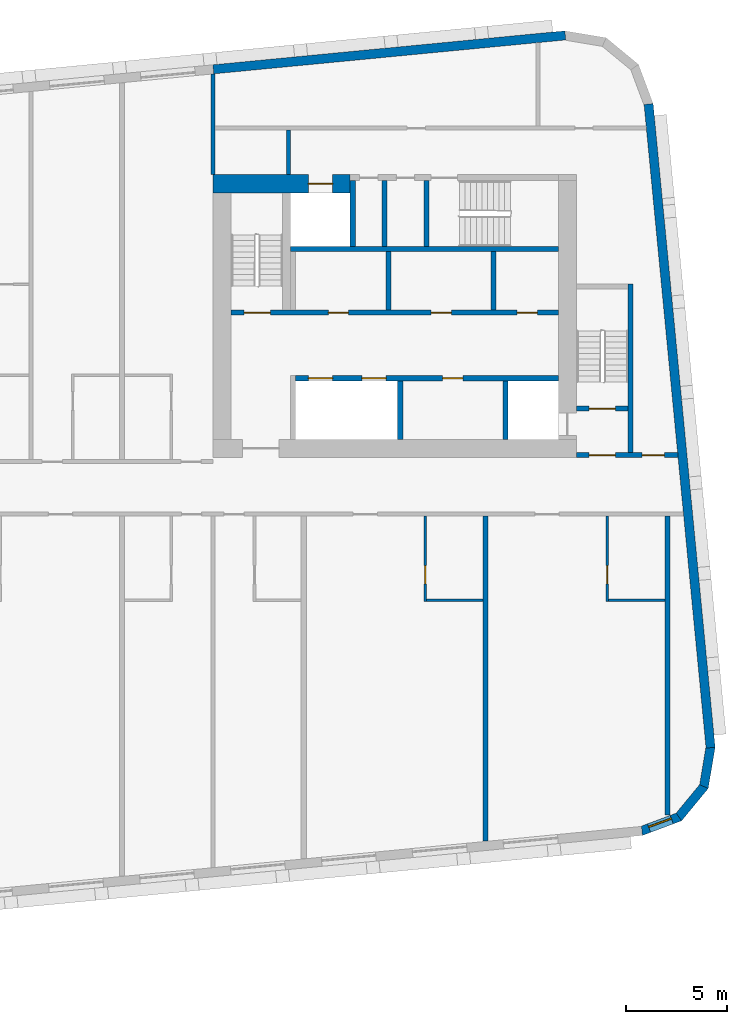
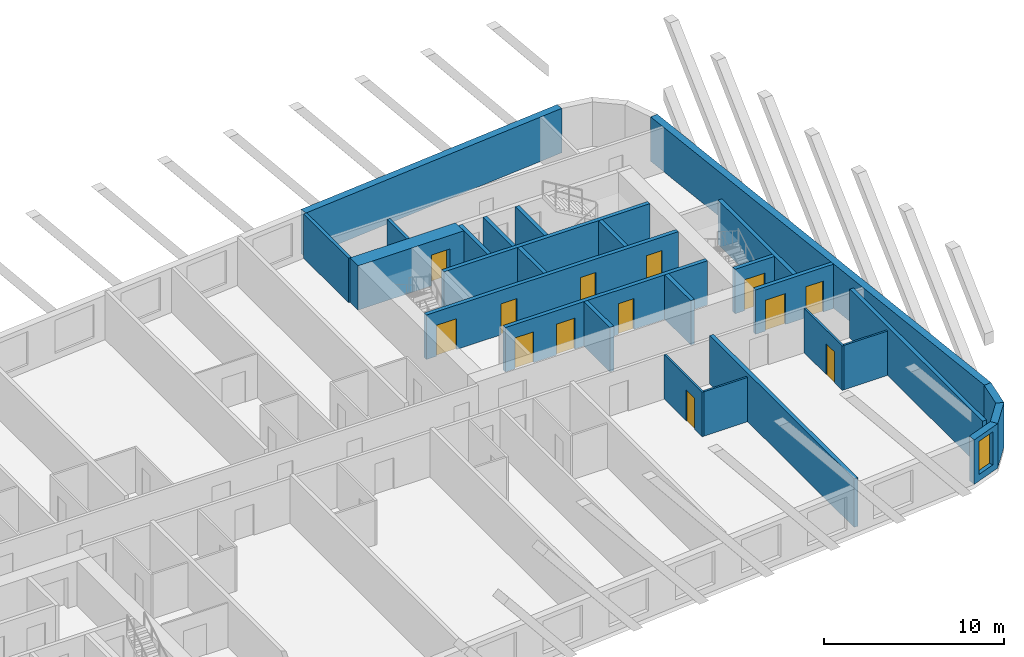
# One storey, part 6 of 12: 27 walls, 13 doors, 1 window, 14 openings.
"""IFC4 building model written with IfcOpenShell, lengths in metres."""

from ifc_helpers import new_model, si_unit, direction, frame, frame_2d, origin, place, context, subcontext, project, spatial, polyline, rectangle, outline, extrude, material, layer, layer_set, type_object, element, fill, save


model = new_model("IFC4")

# Units and contexts
model_context = context("Model", 3, precision=1e-05, world=origin(), true_north=direction((0.0, 1.0)))
body_context = subcontext(model_context, "Body", "Model", "MODEL_VIEW")
ifc_project = project(units=[si_unit("LENGTHUNIT", "METRE"), si_unit("AREAUNIT", "SQUARE_METRE"), si_unit("VOLUMEUNIT", "CUBIC_METRE"), si_unit("PLANEANGLEUNIT", "RADIAN"), si_unit("MASSUNIT", "GRAM", prefix="KILO")], contexts=[model_context])

# Site, building, storey
site_placement = place(None, origin())
site = spatial("IfcSite", under=ifc_project, at=site_placement, CompositionType="ELEMENT")
building_placement = place(site_placement, origin())
building = spatial("IfcBuilding", under=site, at=building_placement, Name="Kajstack Hotel Tower", CompositionType="ELEMENT")
storey_placement = place(building_placement, frame((0.0, 0.0, 288.300048828125)))
storey = spatial("IfcBuildingStorey", under=building, at=storey_placement, Name="L72", CompositionType="ELEMENT", Elevation=288.300048828125)

# Wall, opening, door
ifc_material_1 = material(Name="Concrete C60/75", Category="concrete")
ifc_layer_1 = layer(ifc_material_1, 0.89990234375)
ifc_layer_set_1 = layer_set([ifc_layer_1], Name="Core wall 900")
wall_type_1 = type_object("IfcWallType", Name="Core wall 900", PredefinedType="SHEAR", material=ifc_layer_set_1)
wall_1_placement = place(storey_placement, frame((13.5, 15.050048828125, 0.0), z_axis=(0.0, 0.0, 1.0), x_axis=(1.0, 0.0, 0.0)))
wall_1 = element("IfcWall", 1, at=wall_1_placement, inside=storey, type_object=wall_type_1, Name="Core wall E RS", PredefinedType="SHEAR", context=body_context, shape_type="SweptSolid", body=[
    extrude(rectangle(XDim=6.800048828125, YDim=0.89990234375, at=frame_2d((3.39990234375, 0.0))), origin(), (0.0, 0.0, 1.0), 3.02001953125),
])
opening_1_placement = place(wall_1_placement, frame((4.72509765625, 0.0, 0.0)))
opening_1 = element("IfcOpeningElement", 2, at=opening_1_placement, cuts=wall_1, Name="Opening LD-SV2", PredefinedType="OPENING", context=body_context, shape_type="SweptSolid", body=[
    extrude(rectangle(XDim=1.199951171875, YDim=2.10009765625, at=frame_2d((0.60009765625, 1.050048828125))), frame((0.0, 0.4599609375, 0.0), z_axis=(0.0, -1.0, 0.0), x_axis=(1.0, 0.0, 0.0)), (0.0, 0.0, 1.0), 0.919921875),
])
ifc_material_2 = material(Name="Stainless steel", Category="steel")
door_type_1 = type_object("IfcDoorType", Name="Lift landing door 1200", OperationType="SLIDING_TO_LEFT", PredefinedType="DOOR", material=ifc_material_2)
door_1_placement = place(opening_1_placement, origin())
door_1 = element("IfcDoor", 3, at=door_1_placement, inside=storey, type_object=door_type_1, Name="Landing door SV2", OperationType="SLIDING_TO_LEFT", OverallHeight=2.10009765625, OverallWidth=1.199951171875, PredefinedType="DOOR", context=body_context, shape_type="SweptSolid", body=[
    extrude(rectangle(XDim=1.199951171875, YDim=2.10009765625, at=frame_2d((0.60009765625, 1.050048828125))), frame((0.0, 0.02490234375, 0.0), z_axis=(0.0, -1.0, 0.0), x_axis=(1.0, 0.0, 0.0)), (0.0, 0.0, 1.0), 0.050048828125),
])
fill(opening_1, door_1)

# Walls
ifc_material_3 = material(Name="Twin-frame gypsum board on steel studs, mineral wool", Category="steel")
ifc_layer_2 = layer(ifc_material_3, 0.199951171875)
ifc_layer_set_2 = layer_set([ifc_layer_2], Name="Demising wall 200")
wall_type_2 = type_object("IfcWallType", Name="Demising wall 200", PredefinedType="PARTITIONING", material=ifc_layer_set_2)
wall_2_placement = place(storey_placement, frame((13.5, 15.5, 0.0), z_axis=(0.0, 0.0, 1.0), x_axis=(0.0, 1.0, 0.0)))
element("IfcWall", 4, at=wall_2_placement, inside=storey, type_object=wall_type_2, Name="G-wall-L72-001", PredefinedType="PARTITIONING", context=body_context, shape_type="SweptSolid", body=[
    extrude(rectangle(XDim=4.985107421875, YDim=0.199951171875, at=frame_2d((2.49267578125, 0.0))), origin(), (0.0, 0.0, 1.0), 3.02001953125),
])
ifc_material_4 = material(Name="Concrete C40/50", Category="concrete")
ifc_layer_3 = layer(ifc_material_4, 0.449951171875)
ifc_layer_set_3 = layer_set([ifc_layer_3], Name="EW-CORE")
wall_type_3 = type_object("IfcWallType", Name="EW-CORE", PredefinedType="SOLIDWALL", material=ifc_layer_set_3)
wall_3_placement = place(storey_placement, frame((30.94580078125, 22.390625, 0.0), z_axis=(0.0, 0.0, 1.0), x_axis=(-0.995396397117, -0.095843688398, 0.0)))
element("IfcWall", 5, at=wall_3_placement, inside=storey, type_object=wall_type_3, Name="E-wall-L72-12-00", PredefinedType="SOLIDWALL", context=body_context, shape_type="SweptSolid", body=[
    extrude(rectangle(XDim=17.5048828125, YDim=0.449951171875, at=frame_2d((8.75244140625, 0.0))), origin(), (0.0, 0.0, 1.0), 3.02001953125),
])

# Wall, opening, window
ifc_material_5 = material(Name="Terracotta-faced brick masonry", Category="masonry")
ifc_layer_4 = layer(ifc_material_5, 0.449951171875)
ifc_layer_set_4 = layer_set([ifc_layer_4], Name="EW-TERRA")
wall_type_4 = type_object("IfcWallType", Name="EW-TERRA", PredefinedType="SOLIDWALL", material=ifc_layer_set_4)
wall_4_placement = place(storey_placement, frame((34.67919921875, -16.990478515625, 0.0), z_axis=(0.0, 0.0, 1.0), x_axis=(0.936677599948, 0.350192909346, 0.0)))
wall_4 = element("IfcWall", 6, at=wall_4_placement, inside=storey, type_object=wall_type_4, Name="E-wall-L72-05-00", PredefinedType="SOLIDWALL", context=body_context, shape_type="SweptSolid", body=[
    extrude(outline(polyline([(0.0, -0.22509765625), (2.070556640625, -0.22509765625), (1.949951171875, 0.22509765625), (0.12060546875, 0.22509765625), (0.0, -0.22509765625)])), origin(), (0.0, 0.0, 1.0), 3.02001953125),
])
opening_2_placement = place(wall_4_placement, frame((0.435302734375, 0.0, 0.449951171875)))
opening_2 = element("IfcOpeningElement", 7, at=opening_2_placement, cuts=wall_4, Name="Opening W3", PredefinedType="OPENING", context=body_context, shape_type="SweptSolid", body=[
    extrude(rectangle(XDim=1.199951171875, YDim=2.25, at=frame_2d((0.60009765625, 1.125))), frame((0.0, 0.23486328125, 0.0), z_axis=(0.0, -1.0, 0.0), x_axis=(1.0, 0.0, 0.0)), (0.0, 0.0, 1.0), 0.469970703125),
])
ifc_material_6 = material(Name="Timber-aluminium window, triple glazed", Category="wood")
window_type = type_object("IfcWindowType", Name="WG3", PartitioningType="SINGLE_PANEL", PredefinedType="WINDOW", material=ifc_material_6)
window_placement = place(opening_2_placement, origin())
window = element("IfcWindow", 8, at=window_placement, inside=storey, type_object=window_type, Name="Window W3 L72-05", OverallHeight=2.25, OverallWidth=1.199951171875, PartitioningType="SINGLE_PANEL", PredefinedType="WINDOW", context=body_context, shape_type="SweptSolid", body=[
    extrude(rectangle(XDim=1.199951171875, YDim=2.25, at=frame_2d((0.60009765625, 1.125))), frame((0.0, 0.090087890625, 0.0), z_axis=(0.0, -1.0, 0.0), x_axis=(1.0, 0.0, 0.0)), (0.0, 0.0, 1.0), 0.06005859375),
])
fill(opening_2, window)

# Walls
wall_5_placement = place(storey_placement, frame((36.52392578125, -16.3330078125, 0.0), z_axis=(0.0, 0.0, 1.0), x_axis=(0.636046112757, 0.771651049663, 0.0)))
element("IfcWall", 9, at=wall_5_placement, inside=storey, type_object=wall_type_4, Name="E-wall-L72-06-00", PredefinedType="SOLIDWALL", context=body_context, shape_type="SweptSolid", body=[
    extrude(outline(polyline([(0.0, -0.224853515625), (2.070556640625, -0.22509765625), (1.949951171875, 0.22509765625), (0.12060546875, 0.22509765625), (0.0, -0.224853515625)])), origin(), (0.0, 0.0, 1.0), 3.02001953125),
])
wall_6_placement = place(storey_placement, frame((37.79248046875, -14.84130859375, 0.0), z_axis=(0.0, 0.0, 1.0), x_axis=(0.165068144653, 0.986282164302, 0.0)))
element("IfcWall", 10, at=wall_6_placement, inside=storey, type_object=wall_type_4, Name="E-wall-L72-07-00", PredefinedType="SOLIDWALL", context=body_context, shape_type="SweptSolid", body=[
    extrude(outline(polyline([(0.0, -0.22509765625), (2.070556640625, -0.22509765625), (1.949951171875, 0.224853515625), (0.12060546875, 0.224853515625), (0.0, -0.22509765625)])), origin(), (0.0, 0.0, 1.0), 3.02001953125),
])
wall_7_placement = place(storey_placement, frame((38.13232421875, -12.85791015625, 0.0), z_axis=(0.0, 0.0, 1.0), x_axis=(-0.095847749461, 0.995396006082, 0.0)))
element("IfcWall", 11, at=wall_7_placement, inside=storey, type_object=wall_type_4, Name="E-wall-L72-08-00", PredefinedType="SOLIDWALL", context=body_context, shape_type="SweptSolid", body=[
    extrude(rectangle(XDim=32.0, YDim=0.449951171875, at=frame_2d((16.0, 0.0))), origin(), (0.0, 0.0, 1.0), 3.02001953125),
])

# Wall, opening, door
ifc_material_7 = material(Name="Gypsum board and tiled backer on steel studs", Category="steel")
ifc_layer_5 = layer(ifc_material_7, 0.125)
ifc_layer_set_5 = layer_set([ifc_layer_5], Name="En-suite wall 125")
wall_type_5 = type_object("IfcWallType", Name="En-suite wall 125", PredefinedType="PARTITIONING", material=ifc_layer_set_5)
wall_8_placement = place(storey_placement, frame((24.011962890625, -5.625, 0.0), z_axis=(0.0, 0.0, 1.0), x_axis=(0.0, 1.0, 0.0)))
wall_8 = element("IfcWall", 12, at=wall_8_placement, inside=storey, type_object=wall_type_5, Name="G-wall-L72-041", PredefinedType="PARTITIONING", context=body_context, shape_type="SweptSolid", body=[
    extrude(rectangle(XDim=4.22509765625, YDim=0.125, at=frame_2d((2.112548828125, 0.0))), origin(), (0.0, 0.0, 1.0), 3.02001953125),
])
opening_3_placement = place(wall_8_placement, frame((0.875, 0.0, 0.0)))
opening_3 = element("IfcOpeningElement", 13, at=opening_3_placement, cuts=wall_8, Name="Opening 72034", PredefinedType="OPENING", context=body_context, shape_type="SweptSolid", body=[
    extrude(rectangle(XDim=0.89990234375, YDim=2.10009765625, at=frame_2d((0.449951171875, 1.050048828125))), frame((0.0, 0.072509765625, 0.0), z_axis=(0.0, -1.0, 0.0), x_axis=(1.0, 0.0, 0.0)), (0.0, 0.0, 1.0), 0.14501953125),
])
ifc_material_8 = material(Name="Painted timber door leaf", Category="wood")
door_type_2 = type_object("IfcDoorType", Name="Room door 900", OperationType="SINGLE_SWING_LEFT", PredefinedType="DOOR", material=ifc_material_8)
door_2_placement = place(opening_3_placement, origin())
door_2 = element("IfcDoor", 14, at=door_2_placement, inside=storey, type_object=door_type_2, Name="G-door-L72-34", OperationType="SINGLE_SWING_LEFT", OverallHeight=2.10009765625, OverallWidth=0.89990234375, PredefinedType="DOOR", context=body_context, shape_type="SweptSolid", body=[
    extrude(rectangle(XDim=0.89990234375, YDim=2.10009765625, at=frame_2d((0.449951171875, 1.050048828125))), frame((0.0, 0.02490234375, 0.0), z_axis=(0.0, -1.0, 0.0), x_axis=(1.0, 0.0, 0.0)), (0.0, 0.0, 1.0), 0.050048828125),
])
fill(opening_3, door_2)

# Wall
wall_9_placement = place(storey_placement, frame((24.074951171875, -5.56201171875, 0.0), z_axis=(0.0, 0.0, 1.0), x_axis=(1.0, 0.0, 0.0)))
element("IfcWall", 15, at=wall_9_placement, inside=storey, type_object=wall_type_5, Name="G-wall-L72-042", PredefinedType="PARTITIONING", context=body_context, shape_type="SweptSolid", body=[
    extrude(rectangle(XDim=2.800048828125, YDim=0.125, at=frame_2d((1.39990234375, 0.0))), origin(), (0.0, 0.0, 1.0), 3.02001953125),
])

# Wall, opening, door
wall_10_placement = place(storey_placement, frame((33.012939453125, -5.625, 0.0), z_axis=(0.0, 0.0, 1.0), x_axis=(0.0, 1.0, 0.0)))
wall_10 = element("IfcWall", 16, at=wall_10_placement, inside=storey, type_object=wall_type_5, Name="G-wall-L72-043", PredefinedType="PARTITIONING", context=body_context, shape_type="SweptSolid", body=[
    extrude(rectangle(XDim=4.22509765625, YDim=0.125, at=frame_2d((2.112548828125, 0.0))), origin(), (0.0, 0.0, 1.0), 3.02001953125),
])
opening_4_placement = place(wall_10_placement, frame((0.875, 0.0, 0.0)))
opening_4 = element("IfcOpeningElement", 17, at=opening_4_placement, cuts=wall_10, Name="Opening 72036", PredefinedType="OPENING", context=body_context, shape_type="SweptSolid", body=[
    extrude(rectangle(XDim=0.89990234375, YDim=2.10009765625, at=frame_2d((0.449951171875, 1.050048828125))), frame((0.0, 0.072509765625, 0.0), z_axis=(0.0, -1.0, 0.0), x_axis=(1.0, 0.0, 0.0)), (0.0, 0.0, 1.0), 0.14501953125),
])
door_3_placement = place(opening_4_placement, origin())
door_3 = element("IfcDoor", 18, at=door_3_placement, inside=storey, type_object=door_type_2, Name="G-door-L72-36", OperationType="SINGLE_SWING_LEFT", OverallHeight=2.10009765625, OverallWidth=0.89990234375, PredefinedType="DOOR", context=body_context, shape_type="SweptSolid", body=[
    extrude(rectangle(XDim=0.89990234375, YDim=2.10009765625, at=frame_2d((0.449951171875, 1.050048828125))), frame((0.0, 0.02490234375, 0.0), z_axis=(0.0, -1.0, 0.0), x_axis=(1.0, 0.0, 0.0)), (0.0, 0.0, 1.0), 0.050048828125),
])
fill(opening_4, door_3)

# Walls
wall_11_placement = place(storey_placement, frame((33.074951171875, -5.56201171875, 0.0), z_axis=(0.0, 0.0, 1.0), x_axis=(1.0, 0.0, 0.0)))
element("IfcWall", 19, at=wall_11_placement, inside=storey, type_object=wall_type_5, Name="G-wall-L72-044", PredefinedType="PARTITIONING", context=body_context, shape_type="SweptSolid", body=[
    extrude(rectangle(XDim=2.800048828125, YDim=0.125, at=frame_2d((1.39990234375, 0.0))), origin(), (0.0, 0.0, 1.0), 3.02001953125),
])
ifc_material_9 = material(Name="Concrete C50/60", Category="concrete")
ifc_layer_6 = layer(ifc_material_9, 0.300048828125)
ifc_layer_set_6 = layer_set([ifc_layer_6], Name="Hoistway divider wall 300")
wall_type_6 = type_object("IfcWallType", Name="Hoistway divider wall 300", PredefinedType="SHEAR", material=ifc_layer_set_6)
wall_12_placement = place(storey_placement, frame((22.77490234375, 2.39990234375, 0.0), z_axis=(0.0, 0.0, 1.0), x_axis=(0.0, 1.0, 0.0)))
element("IfcWall", 20, at=wall_12_placement, inside=storey, type_object=wall_type_6, Name="Core wall E AP2", PredefinedType="SHEAR", context=body_context, shape_type="SweptSolid", body=[
    extrude(rectangle(XDim=2.900146484375, YDim=0.25, at=frame_2d((1.4501953125, 0.0))), origin(), (0.0, 0.0, 1.0), 3.02001953125),
])
ifc_layer_7 = layer(ifc_material_4, 0.25)
ifc_layer_set_7 = layer_set([ifc_layer_7], Name="RC cross wall 250 C40/50")
wall_type_7 = type_object("IfcWallType", Name="RC cross wall 250 C40/50", PredefinedType="SHEAR", material=ifc_layer_set_7)
wall_13_placement = place(storey_placement, frame((27.0, -17.47412109375, 0.0), z_axis=(0.0, 0.0, 1.0), x_axis=(0.0, 1.0, 0.0)))
element("IfcWall", 21, at=wall_13_placement, inside=storey, type_object=wall_type_7, Name="S-wall-L72-11", PredefinedType="SHEAR", context=body_context, shape_type="SweptSolid", body=[
    extrude(rectangle(XDim=16.07421875, YDim=0.25, at=frame_2d((8.037109375, 0.0))), origin(), (0.0, 0.0, 1.0), 3.300048828125),
])
wall_14_placement = place(storey_placement, frame((36.0, -16.198974609375, 0.0), z_axis=(0.0, 0.0, 1.0), x_axis=(0.0, 1.0, 0.0)))
element("IfcWall", 22, at=wall_14_placement, inside=storey, type_object=wall_type_7, Name="S-wall-L72-12", PredefinedType="SHEAR", context=body_context, shape_type="SweptSolid", body=[
    extrude(rectangle(XDim=14.799072265625, YDim=0.25, at=frame_2d((7.3994140625, 0.0))), origin(), (0.0, 0.0, 1.0), 3.300048828125),
])
ifc_material_10 = material(Name="Concrete block masonry", Category="masonry")
ifc_layer_8 = layer(ifc_material_10, 0.25)
ifc_layer_set_8 = layer_set([ifc_layer_8], Name="Riser partition 250")
wall_type_8 = type_object("IfcWallType", Name="Riser partition 250", PredefinedType="PARTITIONING", material=ifc_layer_set_8)
for number, where, z_axis, x_axis, name in (
    (23, (27.39990234375, 8.800048828125, 0.0), (0.0, 0.0, 1.0), (0.0, 1.0, 0.0), "Partition E BF0"),
    (24, (22.199951171875, 8.800048828125, 0.0), (0.0, 0.0, 1.0), (0.0, 1.0, 0.0), "Partition E BF1"),
):
    element("IfcWall", number, at=place(storey_placement, frame(where, z_axis=z_axis, x_axis=x_axis)), inside=storey, type_object=wall_type_8, Name=name, PredefinedType="PARTITIONING", context=body_context, shape_type="SweptSolid", body=[
        extrude(rectangle(XDim=2.89990234375, YDim=0.25, at=frame_2d((1.449951171875, 0.0))), origin(), (0.0, 0.0, 1.0), 3.02001953125),
    ])
wall_15_placement = place(storey_placement, frame((22.0, 11.949951171875, 0.0), z_axis=(0.0, 0.0, 1.0), x_axis=(0.0, 1.0, 0.0)))
element("IfcWall", 25, at=wall_15_placement, inside=storey, type_object=wall_type_8, Name="Partition E SZ0", PredefinedType="PARTITIONING", context=body_context, shape_type="SweptSolid", body=[
    extrude(rectangle(XDim=3.25, YDim=0.25, at=frame_2d((1.625, 0.0))), origin(), (0.0, 0.0, 1.0), 3.02001953125),
])

# Wall, openings, doors
ifc_material_11 = material(Name="Gypsum board on steel studs, mineral wool", Category="steel")
ifc_layer_9 = layer(ifc_material_11, 0.199951171875)
ifc_layer_set_9 = layer_set([ifc_layer_9], Name="Service partition 200")
wall_type_9 = type_object("IfcWallType", Name="Service partition 200", PredefinedType="PARTITIONING", material=ifc_layer_set_9)
wall_16_placement = place(storey_placement, frame((31.5, 1.625, 0.0), z_axis=(0.0, 0.0, 1.0), x_axis=(1.0, 0.0, 0.0)))
wall_16 = element("IfcWall", 26, at=wall_16_placement, inside=storey, type_object=wall_type_9, Name="Partition E SN", PredefinedType="PARTITIONING", context=body_context, shape_type="SweptSolid", body=[
    extrude(rectangle(XDim=5.01171875, YDim=0.25, at=frame_2d((2.505859375, 0.0))), origin(), (0.0, 0.0, 1.0), 3.02001953125),
])
opening_5_placement = place(wall_16_placement, frame((0.625, 0.0, 0.0)))
opening_5 = element("IfcOpeningElement", 27, at=opening_5_placement, cuts=wall_16, Name="Opening 72E06", PredefinedType="OPENING", context=body_context, shape_type="SweptSolid", body=[
    extrude(rectangle(XDim=1.300048828125, YDim=2.10009765625, at=frame_2d((0.64990234375, 1.050048828125))), frame((0.0, 0.135009765625, 0.0), z_axis=(0.0, -1.0, 0.0), x_axis=(1.0, 0.0, 0.0)), (0.0, 0.0, 1.0), 0.27001953125),
])
opening_6_placement = place(wall_16_placement, frame((3.25, 0.0, 0.0)))
opening_6 = element("IfcOpeningElement", 28, at=opening_6_placement, cuts=wall_16, Name="Opening 72E08", PredefinedType="OPENING", context=body_context, shape_type="SweptSolid", body=[
    extrude(rectangle(XDim=1.10009765625, YDim=2.10009765625, at=frame_2d((0.550048828125, 1.050048828125))), frame((0.0, 0.135009765625, 0.0), z_axis=(0.0, -1.0, 0.0), x_axis=(1.0, 0.0, 0.0)), (0.0, 0.0, 1.0), 0.27001953125),
])
ifc_material_12 = material(Name="Steel leaf, fire-rated", Category="steel")
door_type_3 = type_object("IfcDoorType", Name="Fire lobby door 1300", OperationType="SINGLE_SWING_LEFT", PredefinedType="DOOR", material=ifc_material_12)
door_4_placement = place(opening_5_placement, origin())
door_4 = element("IfcDoor", 29, at=door_4_placement, inside=storey, type_object=door_type_3, Name="Door 72E06", OperationType="SINGLE_SWING_LEFT", OverallHeight=2.10009765625, OverallWidth=1.300048828125, PredefinedType="DOOR", context=body_context, shape_type="SweptSolid", body=[
    extrude(rectangle(XDim=1.300048828125, YDim=2.10009765625, at=frame_2d((0.64990234375, 1.050048828125))), frame((0.0, 0.02490234375, 0.0), z_axis=(0.0, -1.0, 0.0), x_axis=(1.0, 0.0, 0.0)), (0.0, 0.0, 1.0), 0.050048828125),
])
fill(opening_5, door_4)
ifc_material_13 = material(Name="Timber leaf, fire-rated", Category="wood")
door_type_4 = type_object("IfcDoorType", Name="Service corridor door 1100", OperationType="SINGLE_SWING_LEFT", PredefinedType="DOOR", material=ifc_material_13)
door_5_placement = place(opening_6_placement, origin())
door_5 = element("IfcDoor", 30, at=door_5_placement, inside=storey, type_object=door_type_4, Name="Door 72E08", OperationType="SINGLE_SWING_LEFT", OverallHeight=2.10009765625, OverallWidth=1.10009765625, PredefinedType="DOOR", context=body_context, shape_type="SweptSolid", body=[
    extrude(rectangle(XDim=1.10009765625, YDim=2.10009765625, at=frame_2d((0.550048828125, 1.050048828125))), frame((0.0, 0.02490234375, 0.0), z_axis=(0.0, -1.0, 0.0), x_axis=(1.0, 0.0, 0.0)), (0.0, 0.0, 1.0), 0.050048828125),
])
fill(opening_6, door_5)

# Wall
wall_17_placement = place(storey_placement, frame((17.25, 15.5, 0.0), z_axis=(0.0, 0.0, 1.0), x_axis=(0.0, 1.0, 0.0)))
element("IfcWall", 31, at=wall_17_placement, inside=storey, type_object=wall_type_9, Name="Partition E SCE", PredefinedType="PARTITIONING", context=body_context, shape_type="SweptSolid", body=[
    extrude(rectangle(XDim=2.199951171875, YDim=0.199951171875, at=frame_2d((1.10009765625, 0.0))), origin(), (0.0, 0.0, 1.0), 3.02001953125),
])

# Wall, openings, doors
ifc_layer_10 = layer(ifc_material_9, 0.25)
ifc_layer_set_10 = layer_set([ifc_layer_10], Name="Shaft wall 250")
wall_type_10 = type_object("IfcWallType", Name="Shaft wall 250", PredefinedType="SHEAR", material=ifc_layer_set_10)
wall_18_placement = place(storey_placement, frame((17.60009765625, 5.425048828125, 0.0), z_axis=(0.0, 0.0, 1.0), x_axis=(1.0, 0.0, 0.0)))
wall_18 = element("IfcWall", 32, at=wall_18_placement, inside=storey, type_object=wall_type_10, Name="Core wall E FA", PredefinedType="SHEAR", context=body_context, shape_type="SweptSolid", body=[
    extrude(rectangle(XDim=13.0, YDim=0.25, at=frame_2d((6.5, 0.0))), origin(), (0.0, 0.0, 1.0), 3.02001953125),
])
opening_7_placement = place(wall_18_placement, frame((3.27490234375, 0.0, 0.0)))
opening_7 = element("IfcOpeningElement", 33, at=opening_7_placement, cuts=wall_18, Name="Opening LD-HR3", PredefinedType="OPENING", context=body_context, shape_type="SweptSolid", body=[
    extrude(rectangle(XDim=1.199951171875, YDim=2.10009765625, at=frame_2d((0.60009765625, 1.050048828125))), frame((0.0, 0.135009765625, 0.0), z_axis=(0.0, -1.0, 0.0), x_axis=(1.0, 0.0, 0.0)), (0.0, 0.0, 1.0), 0.27001953125),
])
opening_8_placement = place(wall_18_placement, frame((0.625, 0.0, 0.0)))
opening_8 = element("IfcOpeningElement", 34, at=opening_8_placement, cuts=wall_18, Name="Opening LD-HR4", PredefinedType="OPENING", context=body_context, shape_type="SweptSolid", body=[
    extrude(rectangle(XDim=1.199951171875, YDim=2.10009765625, at=frame_2d((0.60009765625, 1.050048828125))), frame((0.0, 0.135009765625, 0.0), z_axis=(0.0, -1.0, 0.0), x_axis=(1.0, 0.0, 0.0)), (0.0, 0.0, 1.0), 0.27001953125),
])
opening_9_placement = place(wall_18_placement, frame((7.27490234375, 0.0, 0.0)))
opening_9 = element("IfcOpeningElement", 35, at=opening_9_placement, cuts=wall_18, Name="Opening 72E16", PredefinedType="OPENING", context=body_context, shape_type="SweptSolid", body=[
    extrude(rectangle(XDim=1.0, YDim=2.10009765625, at=frame_2d((0.5, 1.050048828125))), frame((0.0, 0.135009765625, 0.0), z_axis=(0.0, -1.0, 0.0), x_axis=(1.0, 0.0, 0.0)), (0.0, 0.0, 1.0), 0.27001953125),
])
door_6_placement = place(opening_7_placement, origin())
door_6 = element("IfcDoor", 36, at=door_6_placement, inside=storey, type_object=door_type_1, Name="Landing door HR3", OperationType="SLIDING_TO_RIGHT", OverallHeight=2.10009765625, OverallWidth=1.199951171875, PredefinedType="DOOR", context=body_context, shape_type="SweptSolid", body=[
    extrude(rectangle(XDim=1.199951171875, YDim=2.10009765625, at=frame_2d((0.60009765625, 1.050048828125))), frame((0.0, 0.02490234375, 0.0), z_axis=(0.0, -1.0, 0.0), x_axis=(1.0, 0.0, 0.0)), (0.0, 0.0, 1.0), 0.050048828125),
])
fill(opening_7, door_6)
door_7_placement = place(opening_8_placement, origin())
door_7 = element("IfcDoor", 37, at=door_7_placement, inside=storey, type_object=door_type_1, Name="Landing door HR4", OperationType="SLIDING_TO_LEFT", OverallHeight=2.10009765625, OverallWidth=1.199951171875, PredefinedType="DOOR", context=body_context, shape_type="SweptSolid", body=[
    extrude(rectangle(XDim=1.199951171875, YDim=2.10009765625, at=frame_2d((0.60009765625, 1.050048828125))), frame((0.0, 0.02490234375, 0.0), z_axis=(0.0, -1.0, 0.0), x_axis=(1.0, 0.0, 0.0)), (0.0, 0.0, 1.0), 0.050048828125),
])
fill(opening_8, door_7)
door_type_5 = type_object("IfcDoorType", Name="Service room door 1000", OperationType="SINGLE_SWING_LEFT", PredefinedType="DOOR", material=ifc_material_13)
door_8_placement = place(opening_9_placement, origin())
door_8 = element("IfcDoor", 38, at=door_8_placement, inside=storey, type_object=door_type_5, Name="Door 72E16", OperationType="SINGLE_SWING_LEFT", OverallHeight=2.10009765625, OverallWidth=1.0, PredefinedType="DOOR", context=body_context, shape_type="SweptSolid", body=[
    extrude(rectangle(XDim=1.0, YDim=2.10009765625, at=frame_2d((0.5, 1.050048828125))), frame((0.0, 0.02490234375, 0.0), z_axis=(0.0, -1.0, 0.0), x_axis=(1.0, 0.0, 0.0)), (0.0, 0.0, 1.0), 0.050048828125),
])
fill(opening_9, door_8)

# Wall
wall_19_placement = place(storey_placement, frame((27.97509765625, 2.39990234375, 0.0), z_axis=(0.0, 0.0, 1.0), x_axis=(0.0, 1.0, 0.0)))
element("IfcWall", 39, at=wall_19_placement, inside=storey, type_object=wall_type_10, Name="Core wall E AP0", PredefinedType="SHEAR", context=body_context, shape_type="SweptSolid", body=[
    extrude(rectangle(XDim=2.900146484375, YDim=0.25, at=frame_2d((1.4501953125, 0.0))), origin(), (0.0, 0.0, 1.0), 3.02001953125),
])

# Wall, openings, doors
wall_20_placement = place(storey_placement, frame((14.39990234375, 8.675048828125, 0.0), z_axis=(0.0, 0.0, 1.0), x_axis=(1.0, 0.0, 0.0)))
wall_20 = element("IfcWall", 40, at=wall_20_placement, inside=storey, type_object=wall_type_10, Name="Core wall E FB", PredefinedType="SHEAR", context=body_context, shape_type="SweptSolid", body=[
    extrude(rectangle(XDim=16.2001953125, YDim=0.25, at=frame_2d((8.10009765625, 0.0))), origin(), (0.0, 0.0, 1.0), 3.02001953125),
])
opening_10_placement = place(wall_20_placement, frame((0.64990234375, 0.0, 0.0)))
opening_10 = element("IfcOpeningElement", 41, at=opening_10_placement, cuts=wall_20, Name="Opening 72E09", PredefinedType="OPENING", context=body_context, shape_type="SweptSolid", body=[
    extrude(rectangle(XDim=1.300048828125, YDim=2.10009765625, at=frame_2d((0.64990234375, 1.050048828125))), frame((0.0, 0.135009765625, 0.0), z_axis=(0.0, -1.0, 0.0), x_axis=(1.0, 0.0, 0.0)), (0.0, 0.0, 1.0), 0.27001953125),
])
opening_11_placement = place(wall_20_placement, frame((14.16259765625, 0.0, 0.0)))
opening_11 = element("IfcOpeningElement", 42, at=opening_11_placement, cuts=wall_20, Name="Opening 72E13", PredefinedType="OPENING", context=body_context, shape_type="SweptSolid", body=[
    extrude(rectangle(XDim=1.0, YDim=2.10009765625, at=frame_2d((0.5, 1.050048828125))), frame((0.0, 0.135009765625, 0.0), z_axis=(0.0, -1.0, 0.0), x_axis=(1.0, 0.0, 0.0)), (0.0, 0.0, 1.0), 0.27001953125),
])
opening_12_placement = place(wall_20_placement, frame((9.89990234375, 0.0, 0.0)))
opening_12 = element("IfcOpeningElement", 43, at=opening_12_placement, cuts=wall_20, Name="Opening 72E14", PredefinedType="OPENING", context=body_context, shape_type="SweptSolid", body=[
    extrude(rectangle(XDim=1.0, YDim=2.10009765625, at=frame_2d((0.5, 1.050048828125))), frame((0.0, 0.135009765625, 0.0), z_axis=(0.0, -1.0, 0.0), x_axis=(1.0, 0.0, 0.0)), (0.0, 0.0, 1.0), 0.27001953125),
])
opening_13_placement = place(wall_20_placement, frame((4.8125, 0.0, 0.0)))
opening_13 = element("IfcOpeningElement", 44, at=opening_13_placement, cuts=wall_20, Name="Opening 72E15", PredefinedType="OPENING", context=body_context, shape_type="SweptSolid", body=[
    extrude(rectangle(XDim=1.0, YDim=2.10009765625, at=frame_2d((0.5, 1.050048828125))), frame((0.0, 0.135009765625, 0.0), z_axis=(0.0, -1.0, 0.0), x_axis=(1.0, 0.0, 0.0)), (0.0, 0.0, 1.0), 0.27001953125),
])
door_9_placement = place(opening_11_placement, origin())
door_9 = element("IfcDoor", 45, at=door_9_placement, inside=storey, type_object=door_type_5, Name="Door 72E13", OperationType="SINGLE_SWING_LEFT", OverallHeight=2.10009765625, OverallWidth=1.0, PredefinedType="DOOR", context=body_context, shape_type="SweptSolid", body=[
    extrude(rectangle(XDim=1.0, YDim=2.10009765625, at=frame_2d((0.5, 1.050048828125))), frame((0.0, 0.02490234375, 0.0), z_axis=(0.0, -1.0, 0.0), x_axis=(1.0, 0.0, 0.0)), (0.0, 0.0, 1.0), 0.050048828125),
])
fill(opening_11, door_9)
door_10_placement = place(opening_12_placement, origin())
door_10 = element("IfcDoor", 46, at=door_10_placement, inside=storey, type_object=door_type_5, Name="Door 72E14", OperationType="SINGLE_SWING_LEFT", OverallHeight=2.10009765625, OverallWidth=1.0, PredefinedType="DOOR", context=body_context, shape_type="SweptSolid", body=[
    extrude(rectangle(XDim=1.0, YDim=2.10009765625, at=frame_2d((0.5, 1.050048828125))), frame((0.0, 0.02490234375, 0.0), z_axis=(0.0, -1.0, 0.0), x_axis=(1.0, 0.0, 0.0)), (0.0, 0.0, 1.0), 0.050048828125),
])
fill(opening_12, door_10)
door_11_placement = place(opening_13_placement, origin())
door_11 = element("IfcDoor", 47, at=door_11_placement, inside=storey, type_object=door_type_5, Name="Door 72E15", OperationType="SINGLE_SWING_LEFT", OverallHeight=2.10009765625, OverallWidth=1.0, PredefinedType="DOOR", context=body_context, shape_type="SweptSolid", body=[
    extrude(rectangle(XDim=1.0, YDim=2.10009765625, at=frame_2d((0.5, 1.050048828125))), frame((0.0, 0.02490234375, 0.0), z_axis=(0.0, -1.0, 0.0), x_axis=(1.0, 0.0, 0.0)), (0.0, 0.0, 1.0), 0.050048828125),
])
fill(opening_13, door_11)
door_type_6 = type_object("IfcDoorType", Name="Stair door 1300", OperationType="SINGLE_SWING_LEFT", PredefinedType="DOOR", material=ifc_material_12)
door_12_placement = place(opening_10_placement, origin())
door_12 = element("IfcDoor", 48, at=door_12_placement, inside=storey, type_object=door_type_6, Name="Door 72E09", OperationType="SINGLE_SWING_LEFT", OverallHeight=2.10009765625, OverallWidth=1.300048828125, PredefinedType="DOOR", context=body_context, shape_type="SweptSolid", body=[
    extrude(rectangle(XDim=1.300048828125, YDim=2.10009765625, at=frame_2d((0.64990234375, 1.050048828125))), frame((0.0, 0.02490234375, 0.0), z_axis=(0.0, -1.0, 0.0), x_axis=(1.0, 0.0, 0.0)), (0.0, 0.0, 1.0), 0.050048828125),
])
fill(opening_10, door_12)

# Walls
wall_21_placement = place(storey_placement, frame((17.35009765625, 11.824951171875, 0.0), z_axis=(0.0, 0.0, 1.0), x_axis=(1.0, 0.0, 0.0)))
element("IfcWall", 49, at=wall_21_placement, inside=storey, type_object=wall_type_10, Name="Core wall E RB", PredefinedType="SHEAR", context=body_context, shape_type="SweptSolid", body=[
    extrude(rectangle(XDim=13.25, YDim=0.25, at=frame_2d((6.625, 0.0))), origin(), (0.0, 0.0, 1.0), 3.02001953125),
])
wall_22_placement = place(storey_placement, frame((20.425048828125, 11.949951171875, 0.0), z_axis=(0.0, 0.0, 1.0), x_axis=(0.0, 1.0, 0.0)))
element("IfcWall", 50, at=wall_22_placement, inside=storey, type_object=wall_type_10, Name="Core wall E SVW", PredefinedType="SHEAR", context=body_context, shape_type="SweptSolid", body=[
    extrude(rectangle(XDim=3.25, YDim=0.25, at=frame_2d((1.625, 0.0))), origin(), (0.0, 0.0, 1.0), 3.02001953125),
])

# Wall, opening, door
ifc_layer_11 = layer(ifc_material_4, 0.25)
ifc_layer_set_11 = layer_set([ifc_layer_11], Name="Stair enclosure wall 250")
wall_type_11 = type_object("IfcWallType", Name="Stair enclosure wall 250", PredefinedType="SHEAR", material=ifc_layer_set_11)
wall_23_placement = place(storey_placement, frame((31.5, 3.925048828125, 0.0), z_axis=(0.0, 0.0, 1.0), x_axis=(1.0, 0.0, 0.0)))
wall_23 = element("IfcWall", 51, at=wall_23_placement, inside=storey, type_object=wall_type_11, Name="Core wall E W1N", PredefinedType="SHEAR", context=body_context, shape_type="SweptSolid", body=[
    extrude(rectangle(XDim=2.550048828125, YDim=0.25, at=frame_2d((1.27490234375, 0.0))), origin(), (0.0, 0.0, 1.0), 3.02001953125),
])
opening_14_placement = place(wall_23_placement, frame((0.625, 0.0, 0.0)))
opening_14 = element("IfcOpeningElement", 52, at=opening_14_placement, cuts=wall_23, Name="Opening 72E07", PredefinedType="OPENING", context=body_context, shape_type="SweptSolid", body=[
    extrude(rectangle(XDim=1.300048828125, YDim=2.10009765625, at=frame_2d((0.64990234375, 1.050048828125))), frame((0.0, 0.135009765625, 0.0), z_axis=(0.0, -1.0, 0.0), x_axis=(1.0, 0.0, 0.0)), (0.0, 0.0, 1.0), 0.27001953125),
])
door_13_placement = place(opening_14_placement, origin())
door_13 = element("IfcDoor", 53, at=door_13_placement, inside=storey, type_object=door_type_6, Name="Door 72E07", OperationType="SINGLE_SWING_LEFT", OverallHeight=2.10009765625, OverallWidth=1.300048828125, PredefinedType="DOOR", context=body_context, shape_type="SweptSolid", body=[
    extrude(rectangle(XDim=1.300048828125, YDim=2.10009765625, at=frame_2d((0.64990234375, 1.050048828125))), frame((0.0, 0.02490234375, 0.0), z_axis=(0.0, -1.0, 0.0), x_axis=(1.0, 0.0, 0.0)), (0.0, 0.0, 1.0), 0.050048828125),
])
fill(opening_14, door_13)

# Walls
wall_24_placement = place(storey_placement, frame((34.175048828125, 1.75, 0.0), z_axis=(0.0, 0.0, 1.0), x_axis=(0.0, 1.0, 0.0)))
element("IfcWall", 54, at=wall_24_placement, inside=storey, type_object=wall_type_11, Name="Core wall E W1W", PredefinedType="SHEAR", context=body_context, shape_type="SweptSolid", body=[
    extrude(rectangle(XDim=8.35009765625, YDim=0.25, at=frame_2d((4.175048828125, 0.0))), origin(), (0.0, 0.0, 1.0), 3.02001953125),
])
ifc_layer_12 = layer(ifc_material_9, 0.35009765625)
ifc_layer_set_12 = layer_set([ifc_layer_12], Name="Stair enclosure wall 350")
wall_type_12 = type_object("IfcWallType", Name="Stair enclosure wall 350", PredefinedType="SHEAR", material=ifc_layer_set_12)
wall_25_placement = place(storey_placement, frame((24.074951171875, 11.949951171875, 0.0), z_axis=(0.0, 0.0, 1.0), x_axis=(0.0, 1.0, 0.0)))
element("IfcWall", 55, at=wall_25_placement, inside=storey, type_object=wall_type_12, Name="Core wall E W3E", PredefinedType="SHEAR", context=body_context, shape_type="SweptSolid", body=[
    extrude(rectangle(XDim=3.25, YDim=0.25, at=frame_2d((1.625, 0.0))), origin(), (0.0, 0.0, 1.0), 3.02001953125),
])

save(model, "model.ifc")
